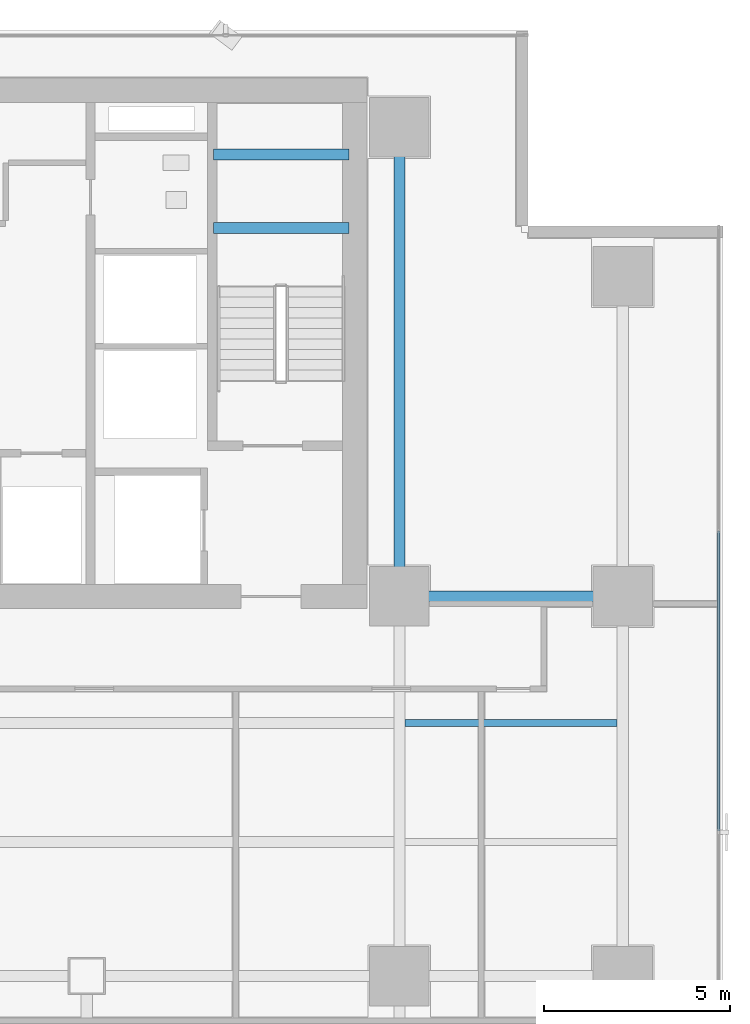
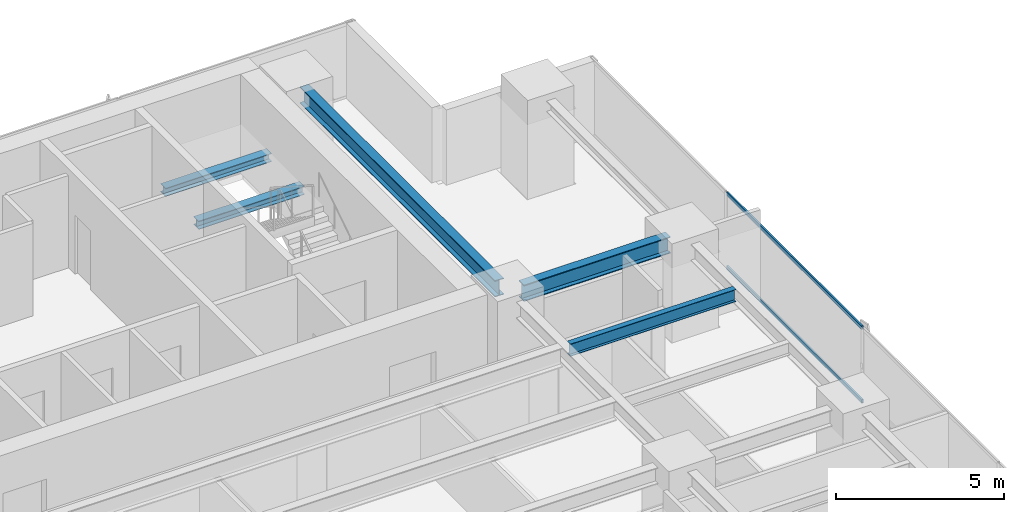
# One storey, part 23 of 36: 5 beams, 2 members, 1 element without a shape of its own.
"""IFC4 building model written with IfcOpenShell, lengths in metres."""

from ifc_helpers import new_model, si_unit, direction, frame, origin, origin_2d, place, context, subcontext, project, spatial, hollow_rectangle, i_section, extrude, source, transform, mapped, material, layer, layer_set, material_profile, profile_set, type_object, element, aggregate, save


model = new_model("IFC4")

# Units and contexts
model_context = context("Model", 3, precision=1e-05, world=origin(), true_north=direction((0.0, 1.0)))
body_context = subcontext(model_context, "Body", "Model", "MODEL_VIEW")
ifc_project = project(units=[si_unit("LENGTHUNIT", "METRE"), si_unit("AREAUNIT", "SQUARE_METRE"), si_unit("VOLUMEUNIT", "CUBIC_METRE"), si_unit("PLANEANGLEUNIT", "RADIAN"), si_unit("MASSUNIT", "GRAM", prefix="KILO")], contexts=[model_context])

# Site, building, storey
site_placement = place(None, origin())
site = spatial("IfcSite", under=ifc_project, at=site_placement, CompositionType="ELEMENT")
building_placement = place(site_placement, origin())
building = spatial("IfcBuilding", under=site, at=building_placement, Name="Sumidabori Civic Tower", CompositionType="ELEMENT")
storey_placement = place(building_placement, frame((0.0, 0.0, 92.0)))
storey = spatial("IfcBuildingStorey", under=building, at=storey_placement, Name="L23", CompositionType="ELEMENT", Elevation=92.0)

# Beams
ifc_material_1 = material(Name="Steel SN490", Category="steel")
ifc_material_profile_1 = material_profile(ifc_material_1, i_section(OverallWidth=0.300048828125, OverallDepth=0.300048828125, WebThickness=0.010986328125, FlangeThickness=0.01904296875, at=origin_2d()), Name="HE 300 B")
ifc_profile_set_1 = profile_set([ifc_material_profile_1], Name="Steel SN490")
beam_type_1 = type_object("IfcBeamType", Name="BM-LDG-300", PredefinedType="BEAM", material=ifc_profile_set_1)
shared_shape_1 = source(origin(), body_context, "Body", "SweptSolid", [
    extrude(i_section(OverallWidth=0.300048828125, OverallDepth=0.300048828125, WebThickness=0.010986328125, FlangeThickness=0.01904296875, at=origin_2d()), origin(), (0.0, 0.0, 1.0), 3.64990234375),
])
for number, where, z_axis, x_axis, name in (
    (1, (11.800048828125, 20.09765625, 1.449951171875), (1.0, 0.0, 0.0), (0.0, 1.0, 0.0), "Stair ST-2 Landing Support Beam L23-1A"),
    (2, (11.800048828125, 22.069580078125, 1.449951171875), (1.0, 0.0, 0.0), (0.0, 1.0, 0.0), "Stair ST-2 Landing Trimmer Beam L23-1B"),
):
    element("IfcBeam", number, at=place(storey_placement, frame(where, z_axis=z_axis, x_axis=x_axis)), inside=storey, type_object=beam_type_1, Name=name, PredefinedType="BEAM", context=body_context, shape_type="MappedRepresentation", body=[
        mapped(shared_shape_1, transform((0.0, 0.0, 0.0), x_axis=(1.0, 0.0, 0.0), y_axis=(0.0, 1.0, 0.0), z_axis=(0.0, 0.0, 1.0), scale=1.0)),
    ])
ifc_material_profile_2 = material_profile(ifc_material_1, i_section(OverallWidth=0.300048828125, OverallDepth=0.60009765625, WebThickness=0.015380859375, FlangeThickness=0.030029296875, at=origin_2d()), Name="HE 600 B")
ifc_profile_set_2 = profile_set([ifc_material_profile_2], Name="Steel SN490")
beam_type_2 = type_object("IfcBeamType", Name="BM-GIRD-600", PredefinedType="BEAM", material=ifc_profile_set_2)
shared_shape_2 = source(origin(), body_context, "Body", "SweptSolid", [
    extrude(i_section(OverallWidth=0.300048828125, OverallDepth=0.60009765625, WebThickness=0.015380859375, FlangeThickness=0.030029296875, at=origin_2d()), origin(), (0.0, 0.0, 1.0), 5.0400390625),
])
beam_1_placement = place(storey_placement, frame((17.280029296875, 10.199951171875, 3.06005859375), z_axis=(1.0, 0.0, 0.0), x_axis=(0.0, 1.0, 0.0)))
element("IfcBeam", 3, at=beam_1_placement, inside=storey, type_object=beam_type_2, Name="Primary Girder L23 GX-20", PredefinedType="BEAM", context=body_context, shape_type="MappedRepresentation", body=[
    mapped(shared_shape_2, transform((0.0, 0.0, 0.0), x_axis=(1.0, 0.0, 0.0), y_axis=(0.0, 1.0, 0.0), z_axis=(0.0, 0.0, 1.0), scale=1.0)),
])
shared_shape_3 = source(origin(), body_context, "Body", "SweptSolid", [
    extrude(i_section(OverallWidth=0.300048828125, OverallDepth=0.60009765625, WebThickness=0.015380859375, FlangeThickness=0.030029296875, at=origin_2d()), origin(), (0.0, 0.0, 1.0), 11.64013671875),
])
beam_2_placement = place(storey_placement, frame((16.800048828125, 10.679931640625, 3.06005859375), z_axis=(0.0, 1.0, 0.0), x_axis=(-1.0, 0.0, 0.0)))
element("IfcBeam", 4, at=beam_2_placement, inside=storey, type_object=beam_type_2, Name="Primary Girder L23 GY-38", PredefinedType="BEAM", context=body_context, shape_type="MappedRepresentation", body=[
    mapped(shared_shape_3, transform((0.0, 0.0, 0.0), x_axis=(1.0, 0.0, 0.0), y_axis=(0.0, 1.0, 0.0), z_axis=(0.0, 0.0, 1.0), scale=1.0)),
])
ifc_material_profile_3 = material_profile(ifc_material_1, i_section(OverallWidth=0.18994140625, OverallDepth=0.449951171875, WebThickness=0.009521484375, FlangeThickness=0.0146484375, at=origin_2d()), Name="IPE 450")
ifc_profile_set_3 = profile_set([ifc_material_profile_3], Name="Steel SN490")
beam_type_3 = type_object("IfcBeamType", Name="BM-JST-450", PredefinedType="JOIST", material=ifc_profile_set_3)
shared_shape_4 = source(origin(), body_context, "Body", "SweptSolid", [
    extrude(i_section(OverallWidth=0.18994140625, OverallDepth=0.449951171875, WebThickness=0.009521484375, FlangeThickness=0.0146484375, at=origin_2d()), origin(), (0.0, 0.0, 1.0), 5.699951171875),
])
beam_3_placement = place(storey_placement, frame((16.949951171875, 6.800048828125, 3.135009765625), z_axis=(1.0, 0.0, 0.0), x_axis=(0.0, 1.0, 0.0)))
element("IfcBeam", 5, at=beam_3_placement, inside=storey, type_object=beam_type_3, Name="Outer Bay Floor Joist L23 JSTO-50", PredefinedType="JOIST", context=body_context, shape_type="MappedRepresentation", body=[
    mapped(shared_shape_4, transform((0.0, 0.0, 0.0), x_axis=(1.0, 0.0, 0.0), y_axis=(0.0, 1.0, 0.0), z_axis=(0.0, 0.0, 1.0), scale=1.0)),
])

# Curtain wall, members
ifc_material_2 = material(Name="Anodised Bronze Aluminium AW-6063-T6", Category="aluminium")
ifc_layer = layer(ifc_material_2, 0.179931640625, Name="Anodised Bronze Aluminium AW-6063-T6")
ifc_layer_set = layer_set([ifc_layer], Name="Anodised Bronze Aluminium AW-6063-T6")
curtain_wall_type = type_object("IfcCurtainWallType", Name="CW-SYS-3", PredefinedType="NOTDEFINED", material=ifc_layer_set)
curtain_wall_placement = place(storey_placement, origin())
curtain_wall = element("IfcCurtainWall", 6, at=curtain_wall_placement, inside=storey, type_object=curtain_wall_type, Name="Curtain Wall CW:L23:R04", PredefinedType="NOTDEFINED")
ifc_material_profile_4 = material_profile(ifc_material_2, hollow_rectangle(XDim=0.06005859375, YDim=0.1298828125, WallThickness=0.0048828125, at=origin_2d()), Name="ALU TRANSOM 130x60")
ifc_profile_set_4 = profile_set([ifc_material_profile_4], Name="Anodised Bronze Aluminium AW-6063-T6")
member_type = type_object("IfcMemberType", Name="CW-TRN-130", PredefinedType="USERDEFINED", material=ifc_profile_set_4)
shared_shape_5 = source(origin(), body_context, "Body", "SweptSolid", [
    extrude(hollow_rectangle(XDim=0.06005859375, YDim=0.1298828125, WallThickness=0.0048828125, at=origin_2d()), origin(), (0.0, 0.0, 1.0), 8.06298828125),
])
member_1_placement = place(storey_placement, frame((25.3798828125, 3.896484375, 0.030029296875), z_axis=(0.0, 1.0, 0.0), x_axis=(-1.0, 0.0, 0.0)))
member_1 = element("IfcMember", 7, at=member_1_placement, type_object=member_type, Name="CW-3 transom 4.1", ObjectType="TRANSOM", PredefinedType="USERDEFINED", context=body_context, shape_type="MappedRepresentation", body=[
    mapped(shared_shape_5, transform((0.0, 0.0, 0.0), x_axis=(1.0, 0.0, 0.0), y_axis=(0.0, 1.0, 0.0), z_axis=(0.0, 0.0, 1.0), scale=1.0)),
])
member_2_placement = place(storey_placement, frame((25.3798828125, 3.896484375, 2.7099609375), z_axis=(0.0, 1.0, 0.0), x_axis=(-1.0, 0.0, 0.0)))
member_2 = element("IfcMember", 8, at=member_2_placement, type_object=member_type, Name="CW-3 transom 4.2", ObjectType="TRANSOM", PredefinedType="USERDEFINED", context=body_context, shape_type="MappedRepresentation", body=[
    mapped(shared_shape_5, transform((0.0, 0.0, 0.0), x_axis=(1.0, 0.0, 0.0), y_axis=(0.0, 1.0, 0.0), z_axis=(0.0, 0.0, 1.0), scale=1.0)),
])
aggregate(curtain_wall, [member_1, member_2])

save(model, "model.ifc")
